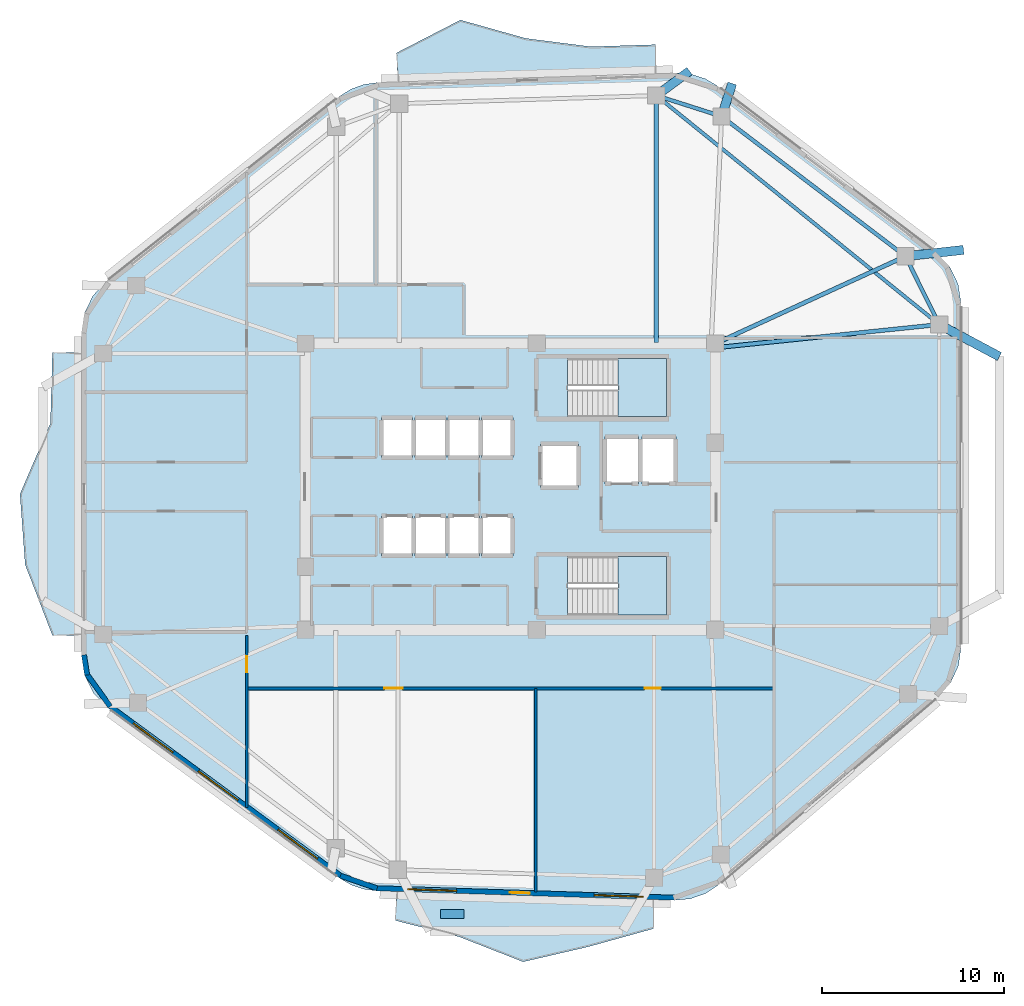
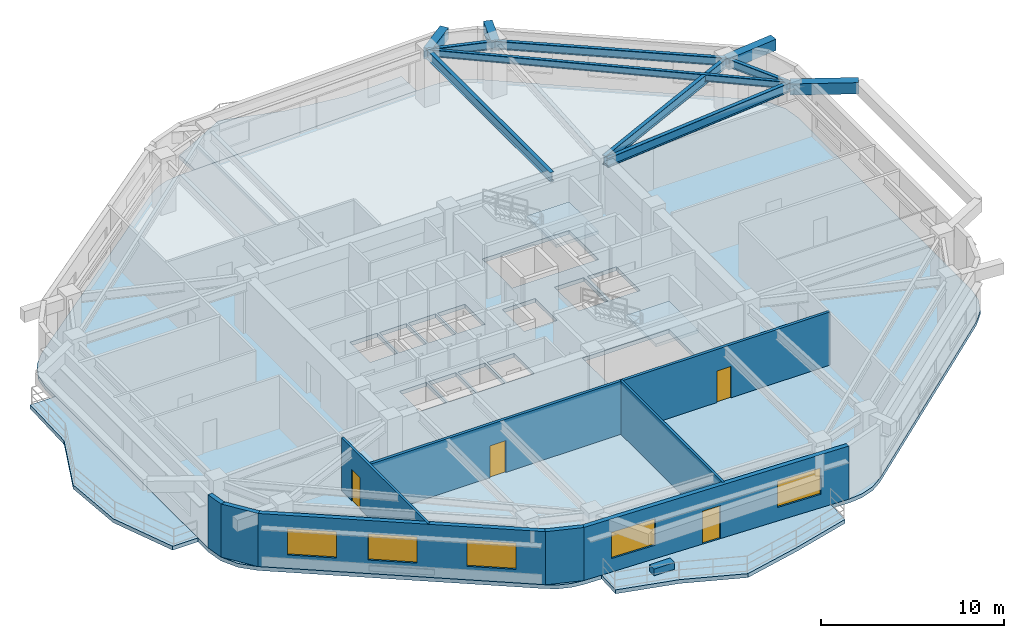
# One storey, part 2 of 9: 11 beams, 8 walls, 6 slabs, 5 windows, 4 doors, 1 plate, 9 openings, 2 elements without a shape of their own.
"""IFC4 building model written with IfcOpenShell, lengths in metres."""

from ifc_helpers import new_model, si_unit, direction, frame, frame_2d, origin, origin_2d, place, context, subcontext, project, spatial, polyline, rectangle, i_section, outline, extrude, material, layer, layer_set, material_profile, profile_set, type_object, element, fill, aggregate, save


model = new_model("IFC4")

# Units and contexts
model_context = context("Model", 3, precision=1e-05, world=origin(), true_north=direction((0.0, 1.0)))
body_context = subcontext(model_context, "Body", "Model", "MODEL_VIEW")
ifc_project = project(units=[si_unit("LENGTHUNIT", "METRE"), si_unit("AREAUNIT", "SQUARE_METRE"), si_unit("VOLUMEUNIT", "CUBIC_METRE"), si_unit("PLANEANGLEUNIT", "RADIAN"), si_unit("MASSUNIT", "GRAM", prefix="KILO")], contexts=[model_context])

# Site, building, storey
site_placement = place(None, origin())
site = spatial("IfcSite", under=ifc_project, at=site_placement, CompositionType="ELEMENT")
building_placement = place(site_placement, origin())
building = spatial("IfcBuilding", under=site, at=building_placement, Name="Zulverin Broadcast Headquarters", CompositionType="ELEMENT")
storey_placement = place(building_placement, frame((0.0, 0.0, 189.60009765625)))
storey = spatial("IfcBuildingStorey", under=building, at=storey_placement, Name="L48", CompositionType="ELEMENT", Elevation=189.60009765625)

# Beams
ifc_material_1 = material(Name="Concrete C40/50", Category="concrete")
ifc_material_profile_1 = material_profile(ifc_material_1, rectangle(XDim=0.5, YDim=0.75, at=origin_2d()), Name="Concrete C40/50", Category="concrete")
ifc_profile_set_1 = profile_set([ifc_material_profile_1], Name="Concrete C40/50")
beam_type_1 = type_object("IfcBeamType", Name="BM-RC-500x750", PredefinedType="BEAM", material=ifc_profile_set_1)
beam_1_placement = place(storey_placement, frame((58.738037109375, 37.877685546875, 3.164794921875), z_axis=(0.994004521098, 0.109338977669, 0.0), x_axis=(-0.109338977669, 0.994004521098, 0.0)))
element("IfcBeam", 1, at=beam_1_placement, inside=storey, type_object=beam_type_1, Name="L49 Plate Overhang Back-Spanned Beam OVR-07", PredefinedType="BEAM", context=body_context, shape_type="SweptSolid", body=[
    extrude(rectangle(XDim=0.5, YDim=0.75, at=origin_2d()), origin(), (0.0, 0.0, 1.0), 3.213134765625),
])
beam_2_placement = place(storey_placement, frame((48.62158203125, 45.574951171875, 3.164794921875), z_axis=(0.306395409062, 0.951904329912, 0.0), x_axis=(-0.951904329912, 0.306395409062, 0.0)))
element("IfcBeam", 2, at=beam_2_placement, inside=storey, type_object=beam_type_1, Name="L49 Plate Overhang Back-Spanned Beam OVR-08", PredefinedType="BEAM", context=body_context, shape_type="SweptSolid", body=[
    extrude(rectangle(XDim=0.5, YDim=0.75, at=origin_2d()), origin(), (0.0, 0.0, 1.0), 1.90283203125),
])
beam_3_placement = place(storey_placement, frame((45.027587890625, 46.7236328125, 3.164794921875), z_axis=(0.806251175009, 0.591573362143, 0.0), x_axis=(-0.591573362143, 0.806251175009, 0.0)))
element("IfcBeam", 3, at=beam_3_placement, inside=storey, type_object=beam_type_1, Name="L49 Plate Overhang Back-Spanned Beam OVR-09", PredefinedType="BEAM", context=body_context, shape_type="SweptSolid", body=[
    extrude(rectangle(XDim=0.5, YDim=0.75, at=origin_2d()), origin(), (0.0, 0.0, 1.0), 2.27099609375),
])
beam_4_placement = place(storey_placement, frame((60.60009765625, 34.12158203125, 3.164794921875), z_axis=(0.882538495397, -0.470240155817, 0.0), x_axis=(0.470240155817, 0.882538495397, 0.0)))
element("IfcBeam", 4, at=beam_4_placement, inside=storey, type_object=beam_type_1, Name="L49 Balcony Column-Framed Cantilever BAL_E-2", PredefinedType="BEAM", context=body_context, shape_type="SweptSolid", body=[
    extrude(rectangle(XDim=0.5, YDim=0.75, at=origin_2d()), origin(), (0.0, 0.0, 1.0), 3.75),
])
ifc_material_2 = material(Name="Structural steel S355JR", Category="steel")
ifc_material_profile_2 = material_profile(ifc_material_2, i_section(OverallWidth=0.19287109375, OverallDepth=0.46728515625, WebThickness=0.011474609375, FlangeThickness=0.01953125, at=origin_2d()), Name="Structural steel S355JR", Category="steel")
ifc_profile_set_2 = profile_set([ifc_material_profile_2], Name="Structural steel S355JR")
beam_type_2 = type_object("IfcBeamType", Name="BM-UB-457", PredefinedType="JOIST", material=ifc_profile_set_2)
beam_5_placement = place(storey_placement, frame((60.60009765625, 34.12158203125, 3.306396484375), z_axis=(-0.777349017335, 0.629069555175, 0.0), x_axis=(-0.629069555175, -0.777349017335, 0.0)))
element("IfcBeam", 5, at=beam_5_placement, inside=storey, type_object=beam_type_2, Name="L48 Chordal Floor Joist J-02", PredefinedType="JOIST", context=body_context, shape_type="SweptSolid", body=[
    extrude(i_section(OverallWidth=0.19287109375, OverallDepth=0.46728515625, WebThickness=0.011474609375, FlangeThickness=0.01953125, at=origin_2d()), origin(), (0.0, 0.0, 1.0), 20.032958984375),
])
ifc_material_profile_3 = material_profile(ifc_material_2, i_section(OverallWidth=0.2119140625, OverallDepth=0.54443359375, WebThickness=0.0126953125, FlangeThickness=0.021240234375, at=origin_2d()), Name="Structural steel S355JR", Category="steel")
ifc_profile_set_3 = profile_set([ifc_material_profile_3], Name="Structural steel S355JR")
beam_type_3 = type_object("IfcBeamType", Name="BM-UB-533", PredefinedType="SPANDREL", material=ifc_profile_set_3)
beam_6_placement = place(storey_placement, frame((60.60009765625, 34.12158203125, 3.267578125), z_axis=(-0.444159471033, 0.895947746407, 0.0), x_axis=(-0.895947746407, -0.444159471033, 0.0)))
element("IfcBeam", 6, at=beam_6_placement, inside=storey, type_object=beam_type_3, Name="L48 Perimeter Spandrel Beam SP-06", PredefinedType="SPANDREL", context=body_context, shape_type="SweptSolid", body=[
    extrude(i_section(OverallWidth=0.2119140625, OverallDepth=0.54443359375, WebThickness=0.0126953125, FlangeThickness=0.021240234375, at=origin_2d()), origin(), (0.0, 0.0, 1.0), 4.1923828125),
])
beam_7_placement = place(storey_placement, frame((58.738037109375, 37.877685546875, 3.267578125), z_axis=(-0.795830102505, 0.60551998146, 0.0), x_axis=(-0.60551998146, -0.795830102505, 0.0)))
element("IfcBeam", 7, at=beam_7_placement, inside=storey, type_object=beam_type_3, Name="L48 Perimeter Spandrel Beam SP-07", PredefinedType="SPANDREL", context=body_context, shape_type="SweptSolid", body=[
    extrude(i_section(OverallWidth=0.2119140625, OverallDepth=0.54443359375, WebThickness=0.0126953125, FlangeThickness=0.021240234375, at=origin_2d()), origin(), (0.0, 0.0, 1.0), 12.7119140625),
])
beam_8_placement = place(storey_placement, frame((48.62158203125, 45.574951171875, 3.267578125), z_axis=(-0.952531523781, 0.304439971428, 0.0), x_axis=(-0.304439971428, -0.952531523781, 0.0)))
element("IfcBeam", 8, at=beam_8_placement, inside=storey, type_object=beam_type_3, Name="L48 Perimeter Spandrel Beam SP-08", PredefinedType="SPANDREL", context=body_context, shape_type="SweptSolid", body=[
    extrude(i_section(OverallWidth=0.2119140625, OverallDepth=0.54443359375, WebThickness=0.0126953125, FlangeThickness=0.021240234375, at=origin_2d()), origin(), (0.0, 0.0, 1.0), 3.773193359375),
])
ifc_material_profile_4 = material_profile(ifc_material_2, i_section(OverallWidth=0.230224609375, OverallDepth=0.6171875, WebThickness=0.01318359375, FlangeThickness=0.022216796875, at=origin_2d()), Name="Structural steel S355JR", Category="steel")
ifc_profile_set_4 = profile_set([ifc_material_profile_4], Name="Structural steel S355JR")
beam_type_4 = type_object("IfcBeamType", Name="BM-UB-610", PredefinedType="BEAM", material=ifc_profile_set_4)
beam_9_placement = place(storey_placement, frame((48.324951171875, 32.85009765625, 3.231201171875), z_axis=(0.994678169641, 0.103030766473, 0.0), x_axis=(-0.103030766473, 0.994678169641, 0.0)))
element("IfcBeam", 9, at=beam_9_placement, inside=storey, type_object=beam_type_4, Name="L48 Radial Primary Floor Beam RB-06", PredefinedType="BEAM", context=body_context, shape_type="SweptSolid", body=[
    extrude(i_section(OverallWidth=0.230224609375, OverallDepth=0.6171875, WebThickness=0.01318359375, FlangeThickness=0.022216796875, at=origin_2d()), origin(), (0.0, 0.0, 1.0), 12.3408203125),
])
beam_10_placement = place(storey_placement, frame((48.27490234375, 33.074951171875, 3.231201171875), z_axis=(0.90883007293, 0.417166511764, 0.0), x_axis=(-0.417166511764, 0.90883007293, 0.0)))
element("IfcBeam", 10, at=beam_10_placement, inside=storey, type_object=beam_type_4, Name="L48 Radial Primary Floor Beam RB-07", PredefinedType="BEAM", context=body_context, shape_type="SweptSolid", body=[
    extrude(i_section(OverallWidth=0.230224609375, OverallDepth=0.6171875, WebThickness=0.01318359375, FlangeThickness=0.022216796875, at=origin_2d()), origin(), (0.0, 0.0, 1.0), 11.5126953125),
])
beam_11_placement = place(storey_placement, frame((45.027587890625, 33.125, 3.231201171875), z_axis=(0.0, 1.0, 0.0), x_axis=(-1.0, 0.0, 0.0)))
element("IfcBeam", 11, at=beam_11_placement, inside=storey, type_object=beam_type_4, Name="L48 Radial Primary Floor Beam RB-09", PredefinedType="BEAM", context=body_context, shape_type="SweptSolid", body=[
    extrude(i_section(OverallWidth=0.230224609375, OverallDepth=0.6171875, WebThickness=0.01318359375, FlangeThickness=0.022216796875, at=origin_2d()), origin(), (0.0, 0.0, 1.0), 13.5986328125),
])

# Plate
ifc_material_3 = material(Name="Precast concrete C45/55", Category="concrete")
ifc_layer_1 = layer(ifc_material_3, 0.449951171875, Name="Precast concrete C45/55", Category="concrete")
ifc_layer_set_1 = layer_set([ifc_layer_1], Name="Precast concrete C45/55")
plate_type = type_object("IfcPlateType", Name="PT-01_PRECAST_GFRC_TREE_PLANTER", PredefinedType="USERDEFINED", material=ifc_layer_set_1)
plate_placement = place(storey_placement, frame((33.808349609375, 1.68115234375, -0.0048828125), z_axis=(0.0, 0.0, 1.0), x_axis=(1.0, 0.0, 0.0)))
element("IfcPlate", 12, at=plate_placement, inside=storey, type_object=plate_type, Name="L48 Precast GFRC Tree Planter BAL_S", ObjectType="PLANTER", PredefinedType="USERDEFINED", context=body_context, shape_type="SweptSolid", body=[
    extrude(rectangle(XDim=1.300048828125, YDim=0.5, at=origin_2d()), origin(), (0.0, 0.0, 1.0), 0.449951171875),
])

# Slabs
ifc_layer_2 = layer(ifc_material_1, 0.260009765625, Name="Concrete C40/50", Category="concrete")
ifc_layer_set_2 = layer_set([ifc_layer_2], Name="Concrete C40/50")
slab_type_1 = type_object("IfcSlabType", Name="SLB-BAL-260", PredefinedType="FLOOR", material=ifc_layer_set_2)
slab_1_placement = place(storey_placement, frame((0.0, 0.0, -0.260009765625)))
element("IfcSlab", 13, at=slab_1_placement, inside=storey, type_object=slab_type_1, Name="L48 Cantilevered Planted Balcony Slab BAL_N", PredefinedType="FLOOR", context=body_context, shape_type="SweptSolid", body=[
    extrude(outline(polyline([(30.794189453125, 47.47265625), (45.03955078125, 47.924560546875), (44.98876953125, 49.523681640625), (41.427490234375, 49.410888671875), (37.847900390625, 49.86767578125), (34.2509765625, 50.87841796875), (30.743408203125, 49.072021484375), (30.794189453125, 47.47265625)])), origin(), (0.0, 0.0, 1.0), 0.260009765625),
])
slab_2_placement = place(storey_placement, frame((0.0, 0.0, -0.260009765625)))
element("IfcSlab", 14, at=slab_2_placement, inside=storey, type_object=slab_type_1, Name="L48 Cantilevered Planted Balcony Slab BAL_W", PredefinedType="FLOOR", context=body_context, shape_type="SweptSolid", body=[
    extrude(outline(polyline([(13.39990234375, 17.02197265625), (13.39990234375, 32.5732421875), (11.800048828125, 32.5732421875), (11.691650390625, 28.685302734375), (10.017333984375, 24.797607421875), (10.3017578125, 20.90966796875), (11.800048828125, 17.02197265625), (13.39990234375, 17.02197265625)])), origin(), (0.0, 0.0, 1.0), 0.260009765625),
])
slab_3_placement = place(storey_placement, frame((0.0, 0.0, -0.260009765625)))
element("IfcSlab", 15, at=slab_3_placement, inside=storey, type_object=slab_type_1, Name="L48 Cantilevered Planted Balcony Slab BAL_S", PredefinedType="FLOOR", context=body_context, shape_type="SweptSolid", body=[
    extrude(outline(polyline([(44.921630859375, 2.479248046875), (30.720458984375, 2.9296875), (30.669921875, 1.33056640625), (34.195068359375, 0.429931640625), (37.705322265625, -0.943603515625), (41.28564453125, -0.11328125), (44.87109375, 0.8798828125), (44.921630859375, 2.479248046875)])), origin(), (0.0, 0.0, 1.0), 0.260009765625),
])

# Stair, slab
stair_type = type_object("IfcStairType", Name="ST-CORE-1500", PredefinedType="HALF_TURN_STAIR", material=ifc_material_1)
stair_1_placement = place(storey_placement, origin())
stair_1 = element("IfcStair", 16, at=stair_1_placement, inside=storey, type_object=stair_type, Name="L48 Core Exit Stair ST-1", PredefinedType="HALF_TURN_STAIR")
ifc_layer_3 = layer(ifc_material_1, 0.199951171875, Name="Concrete C40/50", Category="concrete")
ifc_layer_set_3 = layer_set([ifc_layer_3], Name="Concrete C40/50")
slab_type_2 = type_object("IfcSlabType", Name="SLB-ST-LND200", PredefinedType="LANDING", material=ifc_layer_set_3)
slab_4_placement = place(storey_placement, frame((0.0, 0.0, 1.699951171875)))
slab_4 = element("IfcSlab", 17, at=slab_4_placement, type_object=slab_type_2, Name="ST-1 landing 1", PredefinedType="LANDING", context=body_context, shape_type="SweptSolid", body=[
    extrude(outline(polyline([(42.929931640625, 29.050048828125), (45.60009765625, 29.050048828125), (45.60009765625, 32.25), (42.929931640625, 32.25), (42.929931640625, 29.050048828125)])), origin(), (0.0, 0.0, 1.0), 0.199951171875),
])
aggregate(stair_1, [slab_4])

stair_2_placement = place(storey_placement, origin())
stair_2 = element("IfcStair", 18, at=stair_2_placement, inside=storey, type_object=stair_type, Name="L48 Core Exit Stair ST-2", PredefinedType="HALF_TURN_STAIR")
slab_5_placement = place(storey_placement, frame((0.0, 0.0, 1.699951171875)))
slab_5 = element("IfcSlab", 19, at=slab_5_placement, type_object=slab_type_2, Name="ST-2 landing 1", PredefinedType="LANDING", context=body_context, shape_type="SweptSolid", body=[
    extrude(outline(polyline([(42.929931640625, 18.14990234375), (45.60009765625, 18.14990234375), (45.60009765625, 21.35009765625), (42.929931640625, 21.35009765625), (42.929931640625, 18.14990234375)])), origin(), (0.0, 0.0, 1.0), 0.199951171875),
])
aggregate(stair_2, [slab_5])

# Slab
ifc_layer_4 = layer(ifc_material_1, 0.260009765625, Name="Concrete C40/50", Category="concrete")
ifc_layer_set_4 = layer_set([ifc_layer_4], Name="Concrete C40/50")
slab_type_3 = type_object("IfcSlabType", Name="SLB-TWR-260", PredefinedType="FLOOR", material=ifc_layer_set_4)
slab_6_placement = place(storey_placement, frame((0.0, 0.0, -0.260009765625)))
element("IfcSlab", 20, at=slab_6_placement, inside=storey, type_object=slab_type_3, Name="L48 Main Structural Floor Slab", PredefinedType="FLOOR", context=body_context, shape_type="SweptSolid", body=[
    extrude(outline(polyline([(27.603515625, 3.661865234375), (28.224365234375, 3.295166015625), (28.906005859375, 3.0595703125), (29.62109375, 2.964599609375), (46.02099609375, 2.4443359375), (46.902587890625, 2.525146484375), (47.738037109375, 2.81884765625), (48.476318359375, 3.3076171875), (60.541015625, 13.63427734375), (61.220703125, 14.41064453125), (61.652099609375, 15.34814453125), (61.800048828125, 16.369384765625), (61.800048828125, 35.271484375), (61.6318359375, 36.358642578125), (61.143310546875, 37.344482421875), (60.3798828125, 38.136474609375), (48.432861328125, 47.226318359375), (47.73095703125, 47.643798828125), (46.952880859375, 47.892578125), (46.138916015625, 47.95947265625), (29.694580078125, 47.437744140625), (28.9365234375, 47.332275390625), (28.2177734375, 47.06884765625), (27.57080078125, 46.659423828125), (14.761962890625, 36.492919921875), (14.02880859375, 35.705810546875), (13.560791015625, 34.737060546875), (13.39990234375, 33.673095703125), (13.39990234375, 15.921875), (13.57421875, 14.815673828125), (14.079833984375, 13.81640625), (14.8681640625, 13.02099609375), (27.603515625, 3.661865234375)]), holes=[polyline([(40.155029296875, 30.75), (40.130126953125, 30.75), (40.130126953125, 32.25), (45.60009765625, 32.25), (45.60009765625, 29.050048828125), (40.155029296875, 29.050048828125), (40.155029296875, 30.75)]), polyline([(40.155029296875, 19.85009765625), (40.130126953125, 19.85009765625), (40.130126953125, 21.35009765625), (45.60009765625, 21.35009765625), (45.60009765625, 18.14990234375), (40.155029296875, 18.14990234375), (40.155029296875, 19.85009765625)]), polyline([(29.89990234375, 21.39990234375), (31.6201171875, 21.39990234375), (31.6201171875, 23.60009765625), (29.89990234375, 23.60009765625), (29.89990234375, 21.39990234375)]), polyline([(31.739990234375, 21.39990234375), (33.4599609375, 21.39990234375), (33.4599609375, 23.60009765625), (31.739990234375, 23.60009765625), (31.739990234375, 21.39990234375)]), polyline([(33.580078125, 21.39990234375), (35.300048828125, 21.39990234375), (35.300048828125, 23.60009765625), (33.580078125, 23.60009765625), (33.580078125, 21.39990234375)]), polyline([(35.419921875, 21.39990234375), (37.139892578125, 21.39990234375), (37.139892578125, 23.60009765625), (35.419921875, 23.60009765625), (35.419921875, 21.39990234375)]), polyline([(29.89990234375, 26.800048828125), (31.6201171875, 26.800048828125), (31.6201171875, 29.0), (29.89990234375, 29.0), (29.89990234375, 26.800048828125)]), polyline([(31.739990234375, 26.800048828125), (33.4599609375, 26.800048828125), (33.4599609375, 29.0), (31.739990234375, 29.0), (31.739990234375, 26.800048828125)]), polyline([(33.580078125, 26.800048828125), (35.300048828125, 26.800048828125), (35.300048828125, 29.0), (33.580078125, 29.0), (33.580078125, 26.800048828125)]), polyline([(35.419921875, 26.800048828125), (37.139892578125, 26.800048828125), (37.139892578125, 29.0), (35.419921875, 29.0), (35.419921875, 26.800048828125)]), polyline([(42.199951171875, 25.35009765625), (44.050048828125, 25.35009765625), (44.050048828125, 27.949951171875), (42.199951171875, 27.949951171875), (42.199951171875, 25.35009765625)]), polyline([(44.25, 25.35009765625), (46.10009765625, 25.35009765625), (46.10009765625, 27.949951171875), (44.25, 27.949951171875), (44.25, 25.35009765625)]), polyline([(38.64990234375, 25.14990234375), (40.75, 25.14990234375), (40.75, 27.550048828125), (38.64990234375, 27.550048828125), (38.64990234375, 25.14990234375)])]), origin(), (0.0, 0.0, 1.0), 0.260009765625),
])

# Wall, openings, door, windows
ifc_material_4 = material(Name="Insulated pale-metal clad concrete spandrel C40/50", Category="concrete")
ifc_layer_5 = layer(ifc_material_4, 0.280029296875, Name="Insulated pale-metal clad concrete spandrel C40/50", Category="concrete")
ifc_layer_set_5 = layer_set([ifc_layer_5], Name="Insulated pale-metal clad concrete spandrel C40/50")
wall_type_1 = type_object("IfcWallType", Name="WL-EXT-280", PredefinedType="STANDARD", material=ifc_layer_set_5)
wall_1_placement = place(storey_placement, frame((29.62548828125, 3.1044921875, 0.0), z_axis=(0.0, 0.0, 1.0), x_axis=(0.99949718661, -0.031707632487, 0.0)))
wall_1 = element("IfcWall", 21, at=wall_1_placement, inside=storey, type_object=wall_type_1, Name="L48 Pale-Metal Clad Spandrel Wall 1", PredefinedType="STANDARD", context=body_context, shape_type="SweptSolid", body=[
    extrude(rectangle(XDim=16.408203125, YDim=0.280029296875, at=frame_2d((8.2041015625, 0.0))), origin(), (0.0, 0.0, 1.0), 3.539794921875),
])
opening_1_placement = place(wall_1_placement, frame((7.35400390625, 0.0, 0.0)))
opening_1 = element("IfcOpeningElement", 22, at=opening_1_placement, cuts=wall_1, Name="Opening D-L48-TR1", PredefinedType="OPENING", context=body_context, shape_type="SweptSolid", body=[
    extrude(rectangle(XDim=1.10009765625, YDim=2.199951171875, at=frame_2d((0.550048828125, 1.10009765625))), frame((0.0, 0.14990234375, 0.0), z_axis=(0.0, -1.0, 0.0), x_axis=(1.0, 0.0, 0.0)), (0.0, 0.0, 1.0), 0.300048828125),
])
opening_2_placement = place(wall_1_placement, frame((1.718017578125, 0.0, 0.89990234375)))
opening_2 = element("IfcOpeningElement", 23, at=opening_2_placement, cuts=wall_1, Name="Opening W-L48-E11", PredefinedType="OPENING", context=body_context, shape_type="SweptSolid", body=[
    extrude(rectangle(XDim=2.699951171875, YDim=1.75, at=frame_2d((1.35009765625, 0.875))), frame((0.0, 0.14990234375, 0.0), z_axis=(0.0, -1.0, 0.0), x_axis=(1.0, 0.0, 0.0)), (0.0, 0.0, 1.0), 0.300048828125),
])
opening_3_placement = place(wall_1_placement, frame((11.990234375, 0.0, 0.89990234375)))
opening_3 = element("IfcOpeningElement", 24, at=opening_3_placement, cuts=wall_1, Name="Opening W-L48-E12", PredefinedType="OPENING", context=body_context, shape_type="SweptSolid", body=[
    extrude(rectangle(XDim=2.699951171875, YDim=1.75, at=frame_2d((1.35009765625, 0.875))), frame((0.0, 0.14990234375, 0.0), z_axis=(0.0, -1.0, 0.0), x_axis=(1.0, 0.0, 0.0)), (0.0, 0.0, 1.0), 0.300048828125),
])
ifc_material_5 = material(Name="Thermally broken aluminium glazed", Category="aluminium")
door_type_1 = type_object("IfcDoorType", Name="DR-TERR-1100", OperationType="SINGLE_SWING_RIGHT", PredefinedType="DOOR", material=ifc_material_5)
door_1_placement = place(opening_1_placement, origin())
door_1 = element("IfcDoor", 25, at=door_1_placement, inside=storey, type_object=door_type_1, Name="L48 Planted Terrace Glazed Access Door 1", OperationType="SINGLE_SWING_RIGHT", OverallHeight=2.199951171875, OverallWidth=1.10009765625, PredefinedType="DOOR", context=body_context, shape_type="SweptSolid", body=[
    extrude(rectangle(XDim=1.10009765625, YDim=2.199951171875, at=frame_2d((0.550048828125, 1.10009765625))), frame((0.0, 0.02490234375, 0.0), z_axis=(0.0, -1.0, 0.0), x_axis=(1.0, 0.0, 0.0)), (0.0, 0.0, 1.0), 0.050048828125),
])
fill(opening_1, door_1)
ifc_material_6 = material(Name="Pale anodized aluminium frame with solar-control low-E double glazing", Category="aluminium")
window_type = type_object("IfcWindowType", Name="WIN-TWR-2700", PartitioningType="SINGLE_PANEL", PredefinedType="WINDOW", material=ifc_material_6)
window_1_placement = place(opening_2_placement, origin())
window_1 = element("IfcWindow", 26, at=window_1_placement, inside=storey, type_object=window_type, Name="L48 Ribbon Glazing Window 1 1", OverallHeight=1.75, OverallWidth=2.699951171875, PartitioningType="SINGLE_PANEL", PredefinedType="WINDOW", context=body_context, shape_type="SweptSolid", body=[
    extrude(rectangle(XDim=2.699951171875, YDim=1.75, at=frame_2d((1.35009765625, 0.875))), frame((0.0, 0.030029296875, 0.0), z_axis=(0.0, -1.0, 0.0), x_axis=(1.0, 0.0, 0.0)), (0.0, 0.0, 1.0), 0.06005859375),
])
fill(opening_2, window_1)
window_2_placement = place(opening_3_placement, origin())
window_2 = element("IfcWindow", 27, at=window_2_placement, inside=storey, type_object=window_type, Name="L48 Ribbon Glazing Window 1 2", OverallHeight=1.75, OverallWidth=2.699951171875, PartitioningType="SINGLE_PANEL", PredefinedType="WINDOW", context=body_context, shape_type="SweptSolid", body=[
    extrude(rectangle(XDim=2.699951171875, YDim=1.75, at=frame_2d((1.35009765625, 0.875))), frame((0.0, 0.030029296875, 0.0), z_axis=(0.0, -1.0, 0.0), x_axis=(1.0, 0.0, 0.0)), (0.0, 0.0, 1.0), 0.06005859375),
])
fill(opening_3, window_2)

# Wall, openings, windows
wall_2_placement = place(storey_placement, frame((14.950927734375, 13.1337890625, 0.0), z_axis=(0.0, 0.0, 1.0), x_axis=(0.805804940328, -0.592181051827, 0.0)))
wall_2 = element("IfcWall", 28, at=wall_2_placement, inside=storey, type_object=wall_type_1, Name="L48 Pale-Metal Clad Spandrel Wall 8", PredefinedType="STANDARD", context=body_context, shape_type="SweptSolid", body=[
    extrude(rectangle(XDim=15.804443359375, YDim=0.280029296875, at=frame_2d((7.90234375, 0.0))), origin(), (0.0, 0.0, 1.0), 3.539794921875),
])
opening_4_placement = place(wall_2_placement, frame((1.617431640625, 0.0, 0.89990234375)))
opening_4 = element("IfcOpeningElement", 29, at=opening_4_placement, cuts=wall_2, Name="Opening W-L48-E81", PredefinedType="OPENING", context=body_context, shape_type="SweptSolid", body=[
    extrude(rectangle(XDim=2.699951171875, YDim=1.75, at=frame_2d((1.35009765625, 0.875))), frame((0.0, 0.14990234375, 0.0), z_axis=(0.0, -1.0, 0.0), x_axis=(1.0, 0.0, 0.0)), (0.0, 0.0, 1.0), 0.300048828125),
])
opening_5_placement = place(wall_2_placement, frame((6.05224609375, 0.0, 0.89990234375)))
opening_5 = element("IfcOpeningElement", 30, at=opening_5_placement, cuts=wall_2, Name="Opening W-L48-E82", PredefinedType="OPENING", context=body_context, shape_type="SweptSolid", body=[
    extrude(rectangle(XDim=2.699951171875, YDim=1.75, at=frame_2d((1.35009765625, 0.875))), frame((0.0, 0.14990234375, 0.0), z_axis=(0.0, -1.0, 0.0), x_axis=(1.0, 0.0, 0.0)), (0.0, 0.0, 1.0), 0.300048828125),
])
opening_6_placement = place(wall_2_placement, frame((11.487060546875, 0.0, 0.89990234375)))
opening_6 = element("IfcOpeningElement", 31, at=opening_6_placement, cuts=wall_2, Name="Opening W-L48-E83", PredefinedType="OPENING", context=body_context, shape_type="SweptSolid", body=[
    extrude(rectangle(XDim=2.699951171875, YDim=1.75, at=frame_2d((1.35009765625, 0.875))), frame((0.0, 0.14990234375, 0.0), z_axis=(0.0, -1.0, 0.0), x_axis=(1.0, 0.0, 0.0)), (0.0, 0.0, 1.0), 0.300048828125),
])
window_3_placement = place(opening_4_placement, origin())
window_3 = element("IfcWindow", 32, at=window_3_placement, inside=storey, type_object=window_type, Name="L48 Ribbon Glazing Window 8 1", OverallHeight=1.75, OverallWidth=2.699951171875, PartitioningType="SINGLE_PANEL", PredefinedType="WINDOW", context=body_context, shape_type="SweptSolid", body=[
    extrude(rectangle(XDim=2.699951171875, YDim=1.75, at=frame_2d((1.35009765625, 0.875))), frame((0.0, 0.030029296875, 0.0), z_axis=(0.0, -1.0, 0.0), x_axis=(1.0, 0.0, 0.0)), (0.0, 0.0, 1.0), 0.06005859375),
])
fill(opening_4, window_3)
window_4_placement = place(opening_5_placement, origin())
window_4 = element("IfcWindow", 33, at=window_4_placement, inside=storey, type_object=window_type, Name="L48 Ribbon Glazing Window 8 2", OverallHeight=1.75, OverallWidth=2.699951171875, PartitioningType="SINGLE_PANEL", PredefinedType="WINDOW", context=body_context, shape_type="SweptSolid", body=[
    extrude(rectangle(XDim=2.699951171875, YDim=1.75, at=frame_2d((1.35009765625, 0.875))), frame((0.0, 0.030029296875, 0.0), z_axis=(0.0, -1.0, 0.0), x_axis=(1.0, 0.0, 0.0)), (0.0, 0.0, 1.0), 0.06005859375),
])
fill(opening_5, window_4)
window_5_placement = place(opening_6_placement, origin())
window_5 = element("IfcWindow", 34, at=window_5_placement, inside=storey, type_object=window_type, Name="L48 Ribbon Glazing Window 8 3", OverallHeight=1.75, OverallWidth=2.699951171875, PartitioningType="SINGLE_PANEL", PredefinedType="WINDOW", context=body_context, shape_type="SweptSolid", body=[
    extrude(rectangle(XDim=2.699951171875, YDim=1.75, at=frame_2d((1.35009765625, 0.875))), frame((0.0, 0.030029296875, 0.0), z_axis=(0.0, -1.0, 0.0), x_axis=(1.0, 0.0, 0.0)), (0.0, 0.0, 1.0), 0.06005859375),
])
fill(opening_6, window_5)

# Walls
wall_3_placement = place(storey_placement, frame((13.538330078125, 15.943603515625, 0.0), z_axis=(0.0, 0.0, 1.0), x_axis=(0.155447556013, -0.987844146275, 0.0)))
element("IfcWall", 35, at=wall_3_placement, inside=storey, type_object=wall_type_1, Name="L48 Wind-Shaped Corner Spandrel Wall 7-1", PredefinedType="STANDARD", context=body_context, shape_type="SweptSolid", body=[
    extrude(rectangle(XDim=1.119873046875, YDim=0.280029296875, at=frame_2d((0.56005859375, 0.0))), origin(), (0.0, 0.0, 1.0), 3.539794921875),
])
wall_4_placement = place(storey_placement, frame((13.687744140625, 14.897705078125, 0.0), z_axis=(0.0, 0.0, 1.0), x_axis=(0.584833657716, -0.811153248655, 0.0)))
element("IfcWall", 36, at=wall_4_placement, inside=storey, type_object=wall_type_1, Name="L48 Wind-Shaped Corner Spandrel Wall 7-2", PredefinedType="STANDARD", context=body_context, shape_type="SweptSolid", body=[
    extrude(rectangle(XDim=2.21240234375, YDim=0.280029296875, at=frame_2d((1.106201171875, 0.0))), origin(), (0.0, 0.0, 1.0), 3.539794921875),
])
wall_5_placement = place(storey_placement, frame((27.649169921875, 3.794189453125, 0.0), z_axis=(0.0, 0.0, 1.0), x_axis=(0.945149124969, -0.326639145802, 0.0)))
element("IfcWall", 37, at=wall_5_placement, inside=storey, type_object=wall_type_1, Name="L48 Wind-Shaped Corner Spandrel Wall 8-1", PredefinedType="STANDARD", context=body_context, shape_type="SweptSolid", body=[
    extrude(rectangle(XDim=2.134765625, YDim=0.280029296875, at=frame_2d((1.0673828125, 0.0))), origin(), (0.0, 0.0, 1.0), 3.539794921875),
])
ifc_material_7 = material(Name="Fire-rated gypsum stud partition", Category="gypsum")
ifc_layer_6 = layer(ifc_material_7, 0.14990234375, Name="Fire-rated gypsum stud partition", Category="gypsum")
ifc_layer_set_6 = layer_set([ifc_layer_6], Name="Fire-rated gypsum stud partition")
wall_type_2 = type_object("IfcWallType", Name="WL-PART-150", PredefinedType="PARTITIONING", material=ifc_layer_set_6)
wall_6_placement = place(storey_placement, frame((38.39990234375, 2.89111328125, 0.0), z_axis=(0.0, 0.0, 1.0), x_axis=(0.0, 1.0, 0.0)))
element("IfcWall", 38, at=wall_6_placement, inside=storey, type_object=wall_type_2, Name="L48 Room Partition Wall RP-02", PredefinedType="PARTITIONING", context=body_context, shape_type="SweptSolid", body=[
    extrude(rectangle(XDim=11.208984375, YDim=0.14990234375, at=frame_2d((5.6044921875, 0.0))), origin(), (0.0, 0.0, 1.0), 3.539794921875),
])

# Wall, opening, door
wall_7_placement = place(storey_placement, frame((22.5, 7.552490234375, 0.0), z_axis=(0.0, 0.0, 1.0), x_axis=(0.0, 1.0, 0.0)))
wall_7 = element("IfcWall", 39, at=wall_7_placement, inside=storey, type_object=wall_type_2, Name="L48 Gallery Partition Wall CG-05", PredefinedType="PARTITIONING", context=body_context, shape_type="SweptSolid", body=[
    extrude(rectangle(XDim=9.447509765625, YDim=0.14990234375, at=frame_2d((4.7236328125, 0.0))), origin(), (0.0, 0.0, 1.0), 3.539794921875),
])
opening_7_placement = place(wall_7_placement, frame((7.427490234375, 0.0, 0.0)))
opening_7 = element("IfcOpeningElement", 40, at=opening_7_placement, cuts=wall_7, Name="Opening D-L48-05", PredefinedType="OPENING", context=body_context, shape_type="SweptSolid", body=[
    extrude(rectangle(XDim=0.89990234375, YDim=2.10009765625, at=frame_2d((0.449951171875, 1.050048828125))), frame((0.0, 0.0849609375, 0.0), z_axis=(0.0, -1.0, 0.0), x_axis=(1.0, 0.0, 0.0)), (0.0, 0.0, 1.0), 0.169921875),
])
ifc_material_8 = material(Name="Fire-rated hardwood veneer timber leaf", Category="wood")
door_type_2 = type_object("IfcDoorType", Name="DR-ROOM-900", OperationType="SINGLE_SWING_RIGHT", PredefinedType="DOOR", material=ifc_material_8)
door_2_placement = place(opening_7_placement, origin())
door_2 = element("IfcDoor", 41, at=door_2_placement, inside=storey, type_object=door_type_2, Name="L48 Meeting Room Door", OperationType="SINGLE_SWING_RIGHT", OverallHeight=2.10009765625, OverallWidth=0.89990234375, PredefinedType="DOOR", context=body_context, shape_type="SweptSolid", body=[
    extrude(rectangle(XDim=0.89990234375, YDim=2.10009765625, at=frame_2d((0.449951171875, 1.050048828125))), frame((0.0, 0.02490234375, 0.0), z_axis=(0.0, -1.0, 0.0), x_axis=(1.0, 0.0, 0.0)), (0.0, 0.0, 1.0), 0.050048828125),
])
fill(opening_7, door_2)

# Wall, openings, doors
ifc_material_9 = material(Name="Fire-rated acoustic stud wall", Category="gypsum")
ifc_layer_7 = layer(ifc_material_9, 0.175048828125, Name="Fire-rated acoustic stud wall", Category="gypsum")
ifc_layer_set_7 = layer_set([ifc_layer_7], Name="Fire-rated acoustic stud wall")
wall_type_3 = type_object("IfcWallType", Name="WL-PART-175", PredefinedType="PARTITIONING", material=ifc_layer_set_7)
wall_8_placement = place(storey_placement, frame((22.5, 14.10009765625, 0.0), z_axis=(0.0, 0.0, 1.0), x_axis=(1.0, 0.0, 0.0)))
wall_8 = element("IfcWall", 42, at=wall_8_placement, inside=storey, type_object=wall_type_3, Name="L48 Gallery Partition Wall CG-08", PredefinedType="PARTITIONING", context=body_context, shape_type="SweptSolid", body=[
    extrude(rectangle(XDim=29.0, YDim=0.175048828125, at=frame_2d((14.5, 0.0))), origin(), (0.0, 0.0, 1.0), 3.539794921875),
])
opening_8_placement = place(wall_8_placement, frame((7.570068359375, 0.0, 0.0)))
opening_8 = element("IfcOpeningElement", 43, at=opening_8_placement, cuts=wall_8, Name="Opening D-L48-03", PredefinedType="OPENING", context=body_context, shape_type="SweptSolid", body=[
    extrude(rectangle(XDim=1.0, YDim=2.1201171875, at=frame_2d((0.5, 1.06005859375))), frame((0.0, 0.097412109375, 0.0), z_axis=(0.0, -1.0, 0.0), x_axis=(1.0, 0.0, 0.0)), (0.0, 0.0, 1.0), 0.195068359375),
])
opening_9_placement = place(wall_8_placement, frame((21.8798828125, 0.0, 0.0)))
opening_9 = element("IfcOpeningElement", 44, at=opening_9_placement, cuts=wall_8, Name="Opening D-L48-04", PredefinedType="OPENING", context=body_context, shape_type="SweptSolid", body=[
    extrude(rectangle(XDim=0.89990234375, YDim=2.10009765625, at=frame_2d((0.449951171875, 1.050048828125))), frame((0.0, 0.097412109375, 0.0), z_axis=(0.0, -1.0, 0.0), x_axis=(1.0, 0.0, 0.0)), (0.0, 0.0, 1.0), 0.195068359375),
])
ifc_material_10 = material(Name="Hardwood veneer acoustic leaf", Category="wood")
door_type_3 = type_object("IfcDoorType", Name="DR-OFF-1000", OperationType="SINGLE_SWING_LEFT", PredefinedType="DOOR", material=ifc_material_10)
door_3_placement = place(opening_8_placement, origin())
door_3 = element("IfcDoor", 45, at=door_3_placement, inside=storey, type_object=door_type_3, Name="L48 Admin Office Door", OperationType="SINGLE_SWING_RIGHT", OverallHeight=2.1201171875, OverallWidth=1.0, PredefinedType="DOOR", context=body_context, shape_type="SweptSolid", body=[
    extrude(rectangle(XDim=1.0, YDim=2.1201171875, at=frame_2d((0.5, 1.06005859375))), frame((0.0, 0.02490234375, 0.0), z_axis=(0.0, -1.0, 0.0), x_axis=(1.0, 0.0, 0.0)), (0.0, 0.0, 1.0), 0.050048828125),
])
fill(opening_8, door_3)
door_4_placement = place(opening_9_placement, origin())
door_4 = element("IfcDoor", 46, at=door_4_placement, inside=storey, type_object=door_type_2, Name="L48 Boardroom Door", OperationType="SINGLE_SWING_LEFT", OverallHeight=2.10009765625, OverallWidth=0.89990234375, PredefinedType="DOOR", context=body_context, shape_type="SweptSolid", body=[
    extrude(rectangle(XDim=0.89990234375, YDim=2.10009765625, at=frame_2d((0.449951171875, 1.050048828125))), frame((0.0, 0.02490234375, 0.0), z_axis=(0.0, -1.0, 0.0), x_axis=(1.0, 0.0, 0.0)), (0.0, 0.0, 1.0), 0.050048828125),
])
fill(opening_9, door_4)

save(model, "model.ifc")
